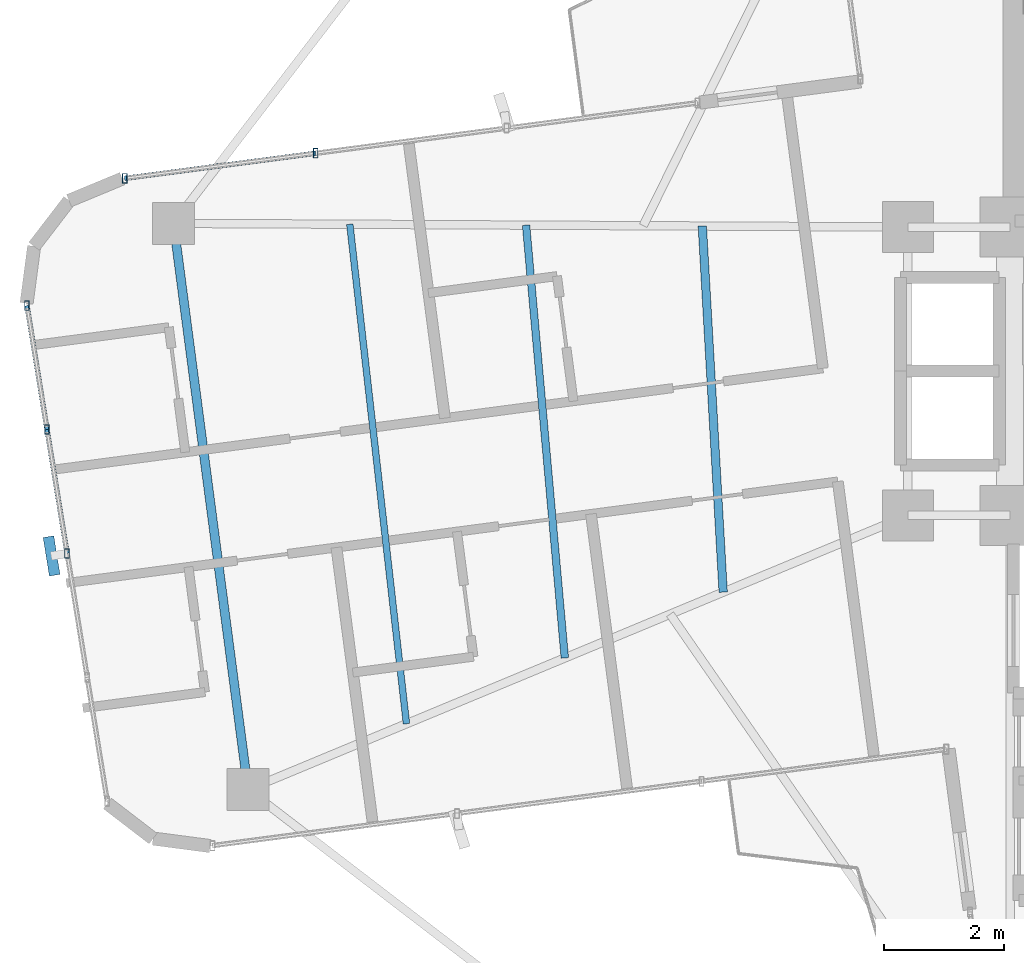
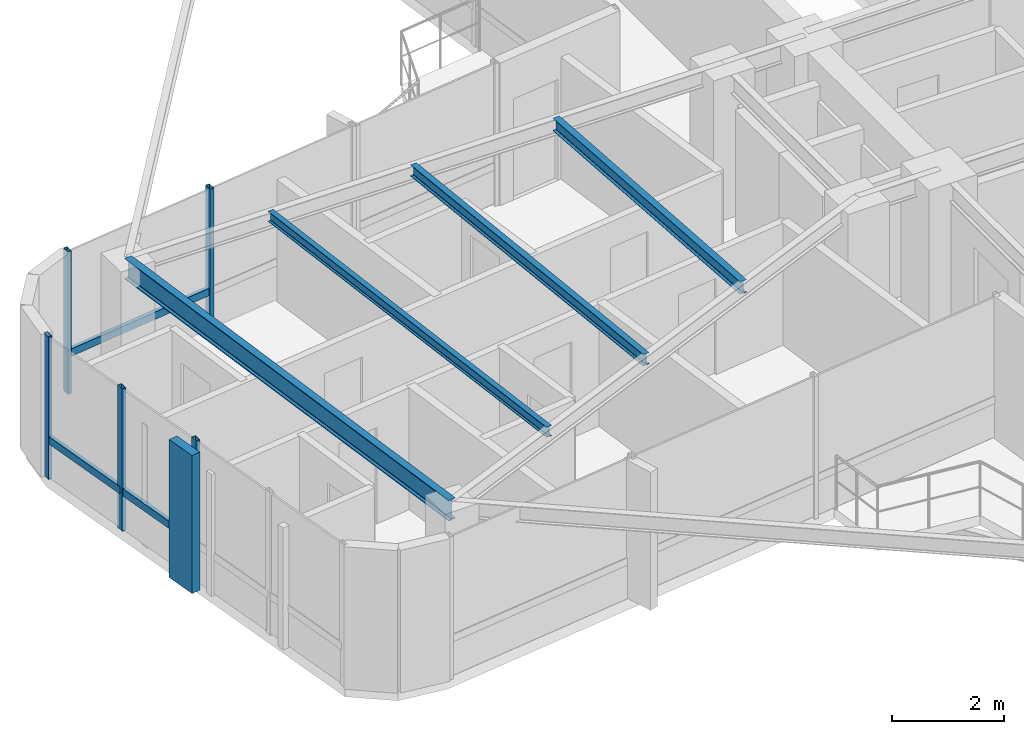
# One storey, part 7 of 23: 9 members, 4 beams, 2 elements without a shape of their own.
"""IFC4 building model written with IfcOpenShell, lengths in metres."""

import ifcopenshell
import ifcopenshell.guid

model = None  # the IFC model being written
_history = None  # IfcOwnerHistory: only IFC2X3 demands one
_inside = {}  # id of a spatial element -> (the spatial element, [elements in it])
_under = {}  # id of a project, library or spatial element -> (it, [spatial elements below it])
_declared = {}  # id of a project -> (the project, [libraries it declares])
_typed = {}  # id of a type object -> (the type object, [elements of that type])
_made_of = {}  # id of a material, layer set ... -> (it, [elements and type objects made of it])


def new_model(schema):
    """Start an empty IFC model of exactly this schema.

    Asked for "IFC4X3", IfcOpenShell would pick the latest addendum, in which some entities
    have other attributes; the version numbers below select the first issue.
    IFC2X3 requires an IfcOwnerHistory on every rooted entity: one is made here for all.
    """
    global model, _history
    if schema == "IFC4X3":
        model = ifcopenshell.file(schema_version=(4, 3, 0, 0))
    else:
        model = ifcopenshell.file(schema=schema)
    _inside.clear()
    _under.clear()
    _declared.clear()
    _typed.clear()
    _made_of.clear()
    _history = None
    if model.schema == "IFC2X3":
        org = make("IfcOrganization", Name="unknown")
        user = make(
            "IfcPersonAndOrganization",
            ThePerson=make("IfcPerson", FamilyName="unknown"),
            TheOrganization=org,
        )
        app = make(
            "IfcApplication",
            ApplicationDeveloper=org,
            Version="unknown",
            ApplicationFullName="unknown",
            ApplicationIdentifier="unknown",
        )
        _history = make(
            "IfcOwnerHistory",
            OwningUser=user,
            OwningApplication=app,
            ChangeAction="ADDED",
            CreationDate=0,
        )
    return model


def make(cls, **values):
    """One entity of the class cls with the attributes given. An attribute that is None is left unset."""
    return model.create_entity(
        cls, **{name: value for name, value in values.items() if value is not None}
    )


def rooted(cls, **values):
    """An entity with a GlobalId (a new one), such as an element, a storey or a relation."""
    return make(cls, GlobalId=ifcopenshell.guid.new(), OwnerHistory=_history, **values)


def si_unit(unit_type, name, prefix=None):
    """IfcSIUnit, for example si_unit("LENGTHUNIT", "METRE", prefix="MILLI")."""
    return make("IfcSIUnit", UnitType=unit_type, Prefix=prefix, Name=name)


def assignment(units):
    """IfcUnitAssignment: the units of a project."""
    return None if units is None else make("IfcUnitAssignment", Units=units)


def point(xyz):
    """IfcCartesianPoint."""
    return None if xyz is None else make("IfcCartesianPoint", Coordinates=xyz)


def direction(xyz):
    """IfcDirection."""
    return None if xyz is None else make("IfcDirection", DirectionRatios=xyz)


def frame(location, z_axis=None, x_axis=None):
    """IfcAxis2Placement3D, a coordinate frame: its origin and axes. An axis left out is left unset."""
    return make(
        "IfcAxis2Placement3D",
        Location=point(location),
        Axis=direction(z_axis),
        RefDirection=direction(x_axis),
    )


def frame_2d(location, x_axis=None):
    """IfcAxis2Placement2D, a coordinate frame in the plane: its origin and x axis."""
    return make(
        "IfcAxis2Placement2D", Location=point(location), RefDirection=direction(x_axis)
    )


def origin():
    """The frame at (0, 0, 0) with its axes left unset."""
    return frame((0.0, 0.0, 0.0))


def origin_2d():
    """The frame at (0, 0) in the plane with its x axis left unset."""
    return frame_2d((0.0, 0.0))


def place(relative_to, where):
    """IfcLocalPlacement: puts the frame where relative to a parent placement (None: the world)."""
    return make(
        "IfcLocalPlacement", PlacementRelTo=relative_to, RelativePlacement=where
    )


def context(
    kind, dimensions, precision=None, world=None, true_north=None, identifier=None
):
    """IfcGeometricRepresentationContext, for example the 3D "Model" context."""
    return make(
        "IfcGeometricRepresentationContext",
        ContextIdentifier=identifier,
        ContextType=kind,
        CoordinateSpaceDimension=dimensions,
        Precision=precision,
        WorldCoordinateSystem=world,
        TrueNorth=true_north,
    )


def subcontext(parent, identifier, kind, view, scale=None):
    """IfcGeometricRepresentationSubContext, for example "Body" below "Model"."""
    return make(
        "IfcGeometricRepresentationSubContext",
        ContextIdentifier=identifier,
        ContextType=kind,
        ParentContext=parent,
        TargetScale=scale,
        TargetView=view,
    )


def project(units=None, contexts=None):
    """IfcProject with its units and contexts."""
    return rooted(
        "IfcProject",
        Name="project",
        RepresentationContexts=contexts,
        UnitsInContext=assignment(units),
    )


def spatial(cls, under=None, at=None, **own):
    """A site, building, storey or space (cls), placed at a placement, below another one or the project."""
    s = rooted(cls, ObjectPlacement=at, **own)
    if under is not None:
        _under.setdefault(under.id(), (under, []))[1].append(s)
    return s


def profile(cls, at=None, kind="AREA", **sizes):
    """A parametric profile (cls). Its sizes go by their IFC names, for example OverallWidth=200.0."""
    return make(cls, ProfileType=kind, Position=at, **sizes)


def rectangle(**sizes):
    """IfcRectangleProfileDef."""
    return profile("IfcRectangleProfileDef", **sizes)


def hollow_rectangle(**sizes):
    """IfcRectangleHollowProfileDef."""
    return profile("IfcRectangleHollowProfileDef", **sizes)


def i_section(**sizes):
    """IfcIShapeProfileDef."""
    return profile("IfcIShapeProfileDef", **sizes)


def extrude(swept, where, along, depth):
    """IfcExtrudedAreaSolid: the profile swept, set in the frame where, extruded along a direction by depth."""
    return make(
        "IfcExtrudedAreaSolid",
        SweptArea=swept,
        Position=where,
        ExtrudedDirection=direction(along),
        Depth=depth,
    )


def shape(context_of_items, identifier, shape_type, items):
    """IfcShapeRepresentation: the items that make up one representation, for example the "Body"."""
    return make(
        "IfcShapeRepresentation",
        ContextOfItems=context_of_items,
        RepresentationIdentifier=identifier,
        RepresentationType=shape_type,
        Items=items,
    )


def source(mapping_origin, context_of_items, identifier, shape_type, items):
    """IfcRepresentationMap: a shape defined once, which mapped items show again and again."""
    return make(
        "IfcRepresentationMap",
        MappingOrigin=mapping_origin,
        MappedRepresentation=shape(context_of_items, identifier, shape_type, items),
    )


def transform(
    local_origin,
    x_axis=None,
    y_axis=None,
    z_axis=None,
    scale=None,
    scale2=None,
    scale3=None,
    uniform=True,
):
    """IfcCartesianTransformationOperator3D, or its non-uniform kind. x_axis, y_axis, z_axis: its Axis1, 2, 3."""
    if uniform:
        return make(
            "IfcCartesianTransformationOperator3D",
            Axis1=direction(x_axis),
            Axis2=direction(y_axis),
            LocalOrigin=point(local_origin),
            Scale=scale,
            Axis3=direction(z_axis),
        )
    return make(
        "IfcCartesianTransformationOperator3DnonUniform",
        Axis1=direction(x_axis),
        Axis2=direction(y_axis),
        LocalOrigin=point(local_origin),
        Scale=scale,
        Axis3=direction(z_axis),
        Scale2=scale2,
        Scale3=scale3,
    )


def mapped(mapping_source, mapping_target):
    """IfcMappedItem: shows the shape of a source again, moved by a transform."""
    return make(
        "IfcMappedItem", MappingSource=mapping_source, MappingTarget=mapping_target
    )


def material(Name=None, Category=None):
    """IfcMaterial."""
    return make("IfcMaterial", Name=Name, Category=Category)


def material_profile(
    of_material, cross_section, Name=None, Category=None, Priority=None
):
    """IfcMaterialProfile: a cross section and its material."""
    return make(
        "IfcMaterialProfile",
        Name=Name,
        Material=of_material,
        Profile=cross_section,
        Priority=Priority,
        Category=Category,
    )


def profile_set(profiles, Name=None, composite=None):
    """IfcMaterialProfileSet."""
    return make(
        "IfcMaterialProfileSet",
        Name=Name,
        MaterialProfiles=profiles,
        CompositeProfile=composite,
    )


def made_of(thing, what):
    """Note that an element or type object is made of a material, layer set ...; save() writes the relation."""
    if what is not None:
        _made_of.setdefault(what.id(), (what, []))[1].append(thing)
    return thing


def type_object(cls, material=None, **own):
    """A type object (cls), such as IfcWallType, which elements share."""
    return made_of(rooted(cls, **own), material)


def element(
    cls,
    number,
    at=None,
    inside=None,
    cuts=None,
    type_object=None,
    material=None,
    context=None,
    identifier="Body",
    shape_type=None,
    held_by="IfcProductDefinitionShape",
    body=None,
    shapes=None,
    **own,
):
    """One element of the class cls, such as IfcWall. Its Tag is "e" and its number.

    at: its placement. inside: the storey or other place that contains it. cuts: it is an
    opening in that element (IfcRelVoidsElement). A single representation is given by context,
    identifier, shape_type and body (its items); several are given by shapes. held_by: the class
    of the entity that holds the representations. save() writes the other relations.
    """
    e = rooted(cls, Tag="e%d" % number, ObjectPlacement=at, **own)
    if body is not None:
        shapes = [shape(context, identifier, shape_type, body)]
    if shapes is not None:
        e.Representation = make(held_by, Representations=shapes)
    if inside is not None:
        _inside.setdefault(inside.id(), (inside, []))[1].append(e)
    if cuts is not None:
        rooted(
            "IfcRelVoidsElement", RelatingBuildingElement=cuts, RelatedOpeningElement=e
        )
    if type_object is not None:
        _typed.setdefault(type_object.id(), (type_object, []))[1].append(e)
    return made_of(e, material)


def aggregate(whole, parts):
    """IfcRelAggregates: a whole, such as a stair, and the parts it consists of."""
    return rooted("IfcRelAggregates", RelatingObject=whole, RelatedObjects=parts)


def save(model, path):
    """Write the relations noted so far, then the file.

    IfcRelAggregates (storeys below a building ...), IfcRelContainedInSpatialStructure (elements
    in a storey), IfcRelDefinesByType, IfcRelAssociatesMaterial and IfcRelDeclares: one each for
    every whole, place, type object, material and project.
    """
    for whole, parts in _under.values():
        aggregate(whole, parts)
    for where, things in _inside.values():
        rooted(
            "IfcRelContainedInSpatialStructure",
            RelatedElements=things,
            RelatingStructure=where,
        )
    for kind, things in _typed.values():
        rooted("IfcRelDefinesByType", RelatedObjects=things, RelatingType=kind)
    for what, things in _made_of.values():
        rooted("IfcRelAssociatesMaterial", RelatedObjects=things, RelatingMaterial=what)
    for by, libraries in _declared.values():
        rooted("IfcRelDeclares", RelatingContext=by, RelatedDefinitions=libraries)
    model.write(path)


model = new_model("IFC4")

# Units and contexts
model_context = context("Model", 3, precision=1e-05, world=origin(), true_north=direction((0.0, 1.0)))
body_context = subcontext(model_context, "Body", "Model", "MODEL_VIEW")
ifc_project = project(units=[si_unit("LENGTHUNIT", "METRE"), si_unit("AREAUNIT", "SQUARE_METRE"), si_unit("VOLUMEUNIT", "CUBIC_METRE"), si_unit("PLANEANGLEUNIT", "RADIAN"), si_unit("MASSUNIT", "GRAM", prefix="KILO")], contexts=[model_context])

# Site, building, storey
site_placement = place(None, origin())
site = spatial("IfcSite", under=ifc_project, at=site_placement, CompositionType="ELEMENT")
building_placement = place(site_placement, origin())
building = spatial("IfcBuilding", under=site, at=building_placement, Name="Sahyath Konkavel Grand Hotel", CompositionType="ELEMENT")
storey_placement = place(building_placement, frame((0.0, 0.0, 254.550048828125)))
storey = spatial("IfcBuildingStorey", under=building, at=storey_placement, Name="L71", CompositionType="ELEMENT", Elevation=254.550048828125)

# Beams
ifc_material_1 = material(Name="Steel E350", Category="steel")
ifc_material_profile_1 = material_profile(ifc_material_1, i_section(OverallWidth=0.14990234375, OverallDepth=0.449951171875, WebThickness=0.009521484375, FlangeThickness=0.017333984375, FilletRadius=0.014892578125, at=origin_2d()), Name="ISMB 450")
ifc_profile_set_1 = profile_set([ifc_material_profile_1], Name="Steel E350")
beam_type_1 = type_object("IfcBeamType", Name="BM-ISMB450", PredefinedType="BEAM", material=ifc_profile_set_1)
shared_shape_1 = source(origin(), body_context, "Body", "SweptSolid", [
    extrude(i_section(OverallWidth=0.14990234375, OverallDepth=0.449951171875, WebThickness=0.009521484375, FlangeThickness=0.017333984375, FilletRadius=0.014892578125, at=origin_2d()), origin(), (0.0, 0.0, 1.0), 9.508056640625),
])
beam_1_placement = place(storey_placement, frame((-17.725830078125, 2.46142578125, 2.885009765625), z_axis=(0.130516948512, -0.991446078287, 0.0), x_axis=(0.991446078287, 0.130516948512, 0.0)))
element("IfcBeam", 1, at=beam_1_placement, inside=storey, type_object=beam_type_1, Name="L71 Wing Tip Edge Beam W", PredefinedType="BEAM", context=body_context, shape_type="MappedRepresentation", body=[
    mapped(shared_shape_1, transform((0.0, 0.0, 0.0), scale=1.0)),
])
ifc_material_profile_2 = material_profile(ifc_material_1, i_section(OverallWidth=0.139892578125, OverallDepth=0.27490234375, WebThickness=0.00634765625, FlangeThickness=0.0087890625, FilletRadius=0.012939453125, at=origin_2d()), Name="ISLB 275")
ifc_profile_set_2 = profile_set([ifc_material_profile_2], Name="Steel E350")
beam_type_2 = type_object("IfcBeamType", Name="BM-ISLB275", PredefinedType="BEAM", material=ifc_profile_set_2)
shared_shape_2 = source(origin(), body_context, "Body", "SweptSolid", [
    extrude(i_section(OverallWidth=0.139892578125, OverallDepth=0.27490234375, WebThickness=0.00634765625, FlangeThickness=0.0087890625, FilletRadius=0.012939453125, at=origin_2d()), origin(), (0.0, 0.0, 1.0), 6.10546875),
])
beam_2_placement = place(storey_placement, frame((-8.92333984375, 2.417236328125, 2.972412109375), z_axis=(0.056942743725, -0.998377445627, 0.0), x_axis=(0.998377445627, 0.056942743725, 0.0)))
element("IfcBeam", 2, at=beam_2_placement, inside=storey, type_object=beam_type_2, Name="L71 Secondary Floor Beam W-1", PredefinedType="BEAM", context=body_context, shape_type="MappedRepresentation", body=[
    mapped(shared_shape_2, transform((0.0, 0.0, 0.0), scale=1.0)),
])
ifc_material_profile_3 = material_profile(ifc_material_1, i_section(OverallWidth=0.125, OverallDepth=0.25, WebThickness=0.0068359375, FlangeThickness=0.012451171875, FilletRadius=0.012939453125, at=origin_2d()), Name="ISMB 250")
ifc_profile_set_3 = profile_set([ifc_material_profile_3], Name="Steel E350")
beam_type_3 = type_object("IfcBeamType", Name="BM-ISMB250", PredefinedType="BEAM", material=ifc_profile_set_3)
shared_shape_3 = source(origin(), body_context, "Body", "SweptSolid", [
    extrude(i_section(OverallWidth=0.125, OverallDepth=0.25, WebThickness=0.0068359375, FlangeThickness=0.012451171875, FilletRadius=0.012939453125, at=origin_2d()), origin(), (0.0, 0.0, 1.0), 7.234619140625),
])
beam_3_placement = place(storey_placement, frame((-11.857421875, 2.431884765625, 2.98486328125), z_axis=(0.089190800562, -0.996014558676, 0.0), x_axis=(0.996014558676, 0.089190800562, 0.0)))
element("IfcBeam", 3, at=beam_3_placement, inside=storey, type_object=beam_type_3, Name="L71 Secondary Floor Beam W-2", PredefinedType="BEAM", context=body_context, shape_type="MappedRepresentation", body=[
    mapped(shared_shape_3, transform((0.0, 0.0, 0.0), scale=1.0)),
])
ifc_material_profile_4 = material_profile(ifc_material_1, i_section(OverallWidth=0.110107421875, OverallDepth=0.22509765625, WebThickness=0.006591796875, FlangeThickness=0.01171875, FilletRadius=0.011962890625, at=origin_2d()), Name="ISMB 225")
ifc_profile_set_4 = profile_set([ifc_material_profile_4], Name="Steel E350")
beam_type_4 = type_object("IfcBeamType", Name="BM-ISMB225", PredefinedType="BEAM", material=ifc_profile_set_4)
shared_shape_4 = source(origin(), body_context, "Body", "SweptSolid", [
    extrude(i_section(OverallWidth=0.110107421875, OverallDepth=0.22509765625, WebThickness=0.006591796875, FlangeThickness=0.01171875, FilletRadius=0.011962890625, at=origin_2d()), origin(), (0.0, 0.0, 1.0), 8.36962890625),
])
beam_4_placement = place(storey_placement, frame((-14.791748046875, 2.44677734375, 2.99755859375), z_axis=(0.11271072074, -0.993627844533, 0.0), x_axis=(0.993627844533, 0.11271072074, 0.0)))
element("IfcBeam", 4, at=beam_4_placement, inside=storey, type_object=beam_type_4, Name="L71 Secondary Floor Beam W-3", PredefinedType="BEAM", context=body_context, shape_type="MappedRepresentation", body=[
    mapped(shared_shape_4, transform((0.0, 0.0, 0.0), scale=1.0)),
])

# Curtain wall, members
ifc_material_2 = material(Name="Anodised Bronze Aluminium & Low-E Glazing", Category="aluminium")
curtain_wall_type = type_object("IfcCurtainWallType", Name="CW-ZONE4", PredefinedType="NOTDEFINED", material=ifc_material_2)
curtain_wall_1_placement = place(storey_placement, origin())
curtain_wall_1 = element("IfcCurtainWall", 5, at=curtain_wall_1_placement, inside=storey, type_object=curtain_wall_type, Name="L71 Unitised Curtain Wall F16", PredefinedType="NOTDEFINED")
ifc_material_3 = material(Name="Anodised Bronze Aluminium", Category="aluminium")
ifc_material_profile_5 = material_profile(ifc_material_3, hollow_rectangle(XDim=0.080078125, YDim=0.159912109375, WallThickness=0.006103515625, at=origin_2d()), Name="RHS 160x80x6")
ifc_profile_set_5 = profile_set([ifc_material_profile_5], Name="Anodised Bronze Aluminium")
member_type_1 = type_object("IfcMemberType", Name="CW-MUL-160", PredefinedType="MULLION", material=ifc_profile_set_5)
shared_shape_5 = source(origin(), body_context, "Body", "SweptSolid", [
    extrude(hollow_rectangle(XDim=0.080078125, YDim=0.159912109375, WallThickness=0.006103515625, at=origin_2d()), origin(), (0.0, 0.0, 1.0), 3.10986328125),
])
member_1_placement = place(storey_placement, frame((-15.36181640625, 3.6298828125, 0.0), z_axis=(0.0, 0.0, 1.0), x_axis=(1.0, 0.0, 0.0)))
member_1 = element("IfcMember", 6, at=member_1_placement, type_object=member_type_1, Name="L71 Curtain Wall Mullion F16-2", PredefinedType="MULLION", context=body_context, shape_type="MappedRepresentation", body=[
    mapped(shared_shape_5, transform((0.0, 0.0, 0.0), scale=1.0)),
])
member_2_placement = place(storey_placement, frame((-18.540771484375, 3.21142578125, 0.0), z_axis=(0.0, 0.0, 1.0), x_axis=(1.0, 0.0, 0.0)))
member_2 = element("IfcMember", 7, at=member_2_placement, type_object=member_type_1, Name="L71 Curtain Wall Mullion F16-3", PredefinedType="MULLION", context=body_context, shape_type="MappedRepresentation", body=[
    mapped(shared_shape_5, transform((0.0, 0.0, 0.0), scale=1.0)),
])

curtain_wall_2_placement = place(storey_placement, origin())
curtain_wall_2 = element("IfcCurtainWall", 8, at=curtain_wall_2_placement, inside=storey, type_object=curtain_wall_type, Name="L71 Unitised Curtain Wall F20", PredefinedType="NOTDEFINED")
member_3_placement = place(storey_placement, frame((-20.166748046875, 1.091064453125, 0.0), z_axis=(0.0, 0.0, 1.0), x_axis=(1.0, 0.0, 0.0)))
member_3 = element("IfcMember", 9, at=member_3_placement, type_object=member_type_1, Name="L71 Curtain Wall Mullion F20-0", PredefinedType="MULLION", context=body_context, shape_type="MappedRepresentation", body=[
    mapped(shared_shape_5, transform((0.0, 0.0, 0.0), scale=1.0)),
])
member_4_placement = place(storey_placement, frame((-19.83349609375, -0.971435546875, 0.0), z_axis=(0.0, 0.0, 1.0), x_axis=(1.0, 0.0, 0.0)))
member_4 = element("IfcMember", 10, at=member_4_placement, type_object=member_type_1, Name="L71 Curtain Wall Mullion F20-1", PredefinedType="MULLION", context=body_context, shape_type="MappedRepresentation", body=[
    mapped(shared_shape_5, transform((0.0, 0.0, 0.0), scale=1.0)),
])
member_5_placement = place(storey_placement, frame((-19.5, -3.03369140625, 0.0), z_axis=(0.0, 0.0, 1.0), x_axis=(1.0, 0.0, 0.0)))
member_5 = element("IfcMember", 11, at=member_5_placement, type_object=member_type_1, Name="L71 Curtain Wall Mullion F20-2", PredefinedType="MULLION", context=body_context, shape_type="MappedRepresentation", body=[
    mapped(shared_shape_5, transform((0.0, 0.0, 0.0), scale=1.0)),
])
ifc_material_4 = material(Name="Warm Buff Sandstone Cladding on Concrete C50/60", Category="masonry")
ifc_material_profile_6 = material_profile(ifc_material_4, rectangle(XDim=0.179931640625, YDim=0.64990234375, at=origin_2d()), Name="FIN 180x650")
ifc_profile_set_6 = profile_set([ifc_material_profile_6], Name="Warm Buff Sandstone Cladding on Concrete C50/60")
member_type_2 = type_object("IfcMemberType", Name="FIN-SANDSTONE-650", PredefinedType="MULLION", material=ifc_profile_set_6)
shared_shape_6 = source(origin(), body_context, "Body", "SweptSolid", [
    extrude(rectangle(XDim=0.179931640625, YDim=0.64990234375, at=origin_2d()), origin(), (0.0, 0.0, 1.0), 3.010009765625),
])
member_6_placement = place(storey_placement, frame((-19.756591796875, -3.0751953125, 0.050048828125), z_axis=(0.0, 0.0, 1.0), x_axis=(0.98724764263, 0.159191997666, 0.0)))
member_6 = element("IfcMember", 12, at=member_6_placement, type_object=member_type_2, Name="L71 Sandstone Vertical Solar Fin FIN F20-2", PredefinedType="MULLION", context=body_context, shape_type="MappedRepresentation", body=[
    mapped(shared_shape_6, transform((0.0, 0.0, 0.0), scale=1.0)),
])

# Member
ifc_material_profile_7 = material_profile(ifc_material_3, hollow_rectangle(XDim=0.080078125, YDim=0.159912109375, WallThickness=0.006103515625, at=origin_2d()), Name="RHS 160x80x6")
ifc_profile_set_7 = profile_set([ifc_material_profile_7], Name="Anodised Bronze Aluminium")
member_type_3 = type_object("IfcMemberType", Name="CW-TRN-160", PredefinedType="USERDEFINED", material=ifc_profile_set_7)
shared_shape_7 = source(origin(), body_context, "Body", "SweptSolid", [
    extrude(hollow_rectangle(XDim=0.080078125, YDim=0.159912109375, WallThickness=0.006103515625, at=origin_2d()), origin(), (0.0, 0.0, 1.0), 3.206298828125),
])
member_7_placement = place(storey_placement, frame((-15.36181640625, 3.6298828125, 0.849853515625), z_axis=(-0.991447296707, -0.130507692693, 0.0), x_axis=(0.130507692693, -0.991447296707, 0.0)))
member_7 = element("IfcMember", 13, at=member_7_placement, type_object=member_type_3, Name="L71 Curtain Wall Transom F16-2-spandrel", ObjectType="TRANSOM", PredefinedType="USERDEFINED", context=body_context, shape_type="MappedRepresentation", body=[
    mapped(shared_shape_7, transform((0.0, 0.0, 0.0), scale=1.0)),
])

aggregate(curtain_wall_1, [member_1, member_2, member_7])

shared_shape_8 = source(origin(), body_context, "Body", "SweptSolid", [
    extrude(hollow_rectangle(XDim=0.080078125, YDim=0.159912109375, WallThickness=0.006103515625, at=origin_2d()), origin(), (0.0, 0.0, 1.0), 2.08935546875),
])
member_8_placement = place(storey_placement, frame((-20.166748046875, 1.091064453125, 0.849853515625), z_axis=(0.159507979697, -0.987196639182, 0.0), x_axis=(0.987196639182, 0.159507979697, 0.0)))
member_8 = element("IfcMember", 14, at=member_8_placement, type_object=member_type_3, Name="L71 Curtain Wall Transom F20-0-spandrel", ObjectType="TRANSOM", PredefinedType="USERDEFINED", context=body_context, shape_type="MappedRepresentation", body=[
    mapped(shared_shape_8, transform((0.0, 0.0, 0.0), scale=1.0)),
])

shared_shape_9 = source(origin(), body_context, "Body", "SweptSolid", [
    extrude(hollow_rectangle(XDim=0.080078125, YDim=0.159912109375, WallThickness=0.006103515625, at=origin_2d()), origin(), (0.0, 0.0, 1.0), 2.089111328125),
])
member_9_placement = place(storey_placement, frame((-19.83349609375, -0.971435546875, 0.849853515625), z_axis=(0.159640274351, -0.987175254352, 0.0), x_axis=(0.987175254352, 0.159640274351, 0.0)))
member_9 = element("IfcMember", 15, at=member_9_placement, type_object=member_type_3, Name="L71 Curtain Wall Transom F20-1-spandrel", ObjectType="TRANSOM", PredefinedType="USERDEFINED", context=body_context, shape_type="MappedRepresentation", body=[
    mapped(shared_shape_9, transform((0.0, 0.0, 0.0), scale=1.0)),
])

aggregate(curtain_wall_2, [member_3, member_4, member_5, member_6, member_8, member_9])

save(model, "model.ifc")
